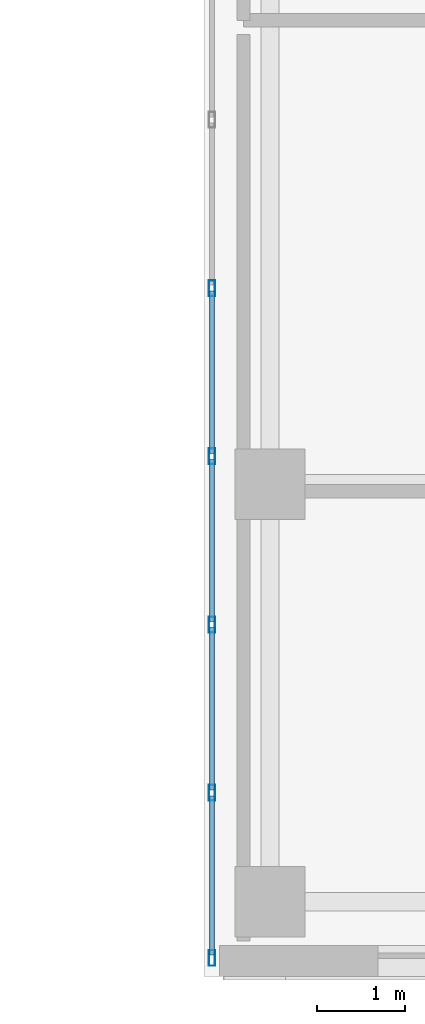
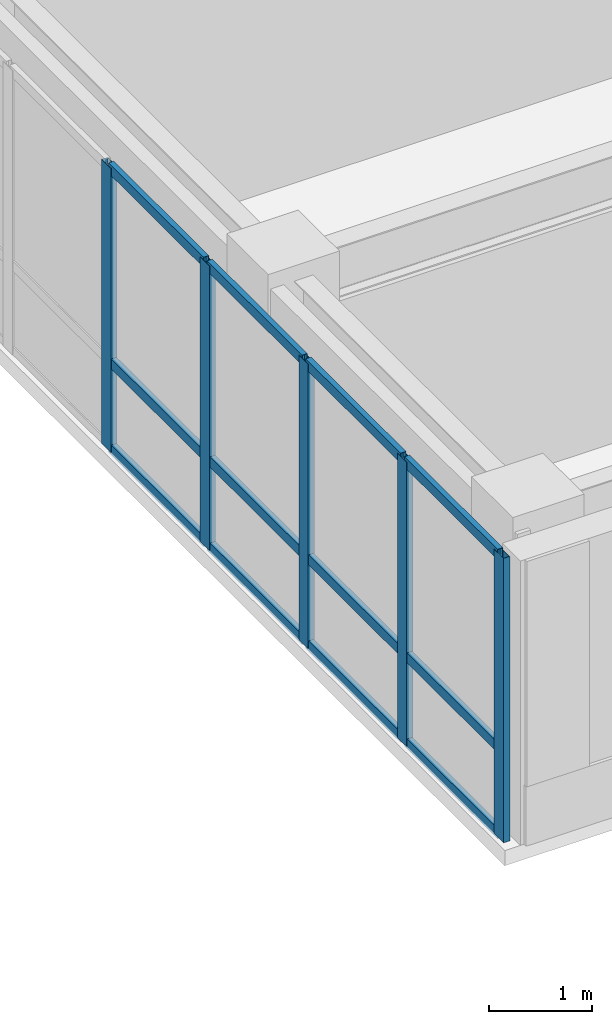
# One storey, part 4 of 20: 17 members, 1 element without a shape of its own.
"""IFC4 building model written with IfcOpenShell, lengths in metres."""

from ifc_helpers import new_model, si_unit, direction, frame, origin, origin_2d, place, context, subcontext, project, spatial, hollow_rectangle, extrude, source, transform, mapped, material, layer, layer_set, material_profile, profile_set, type_object, type_shapes, element, aggregate, save


model = new_model("IFC4")

# Units and contexts
model_context = context("Model", 3, precision=1e-05, world=origin(), true_north=direction((0.0, 1.0)))
body_context = subcontext(model_context, "Body", "Model", "MODEL_VIEW")
ifc_project = project(units=[si_unit("LENGTHUNIT", "METRE"), si_unit("AREAUNIT", "SQUARE_METRE"), si_unit("VOLUMEUNIT", "CUBIC_METRE"), si_unit("PLANEANGLEUNIT", "RADIAN"), si_unit("MASSUNIT", "GRAM", prefix="KILO")], contexts=[model_context])

# Site, building, storey
site_placement = place(None, origin())
site = spatial("IfcSite", under=ifc_project, at=site_placement, CompositionType="ELEMENT")
building_placement = place(site_placement, origin())
building = spatial("IfcBuilding", under=site, at=building_placement, Name="Tolvann Quenvar Hotel", CompositionType="ELEMENT")
storey_placement = place(building_placement, frame((0.0, 0.0, 175.449951171875)))
storey = spatial("IfcBuildingStorey", under=building, at=storey_placement, Name="L46", CompositionType="ELEMENT", Elevation=175.449951171875)

# Curtain wall, members
ifc_material_1 = material(Name="Thermally broken anodised architectural aluminium 6063-T6 and laminated low-E glass", Category="aluminium")
ifc_layer = layer(ifc_material_1, 0.179931640625)
ifc_layer_set = layer_set([ifc_layer], Name="Thermally broken anodised architectural aluminium 6063-T6 and laminated low-E glass")
curtain_wall_type = type_object("IfcCurtainWallType", Name="CW_SYS_SLOT_03", PredefinedType="USERDEFINED", material=ifc_layer_set)
curtain_wall_placement = place(storey_placement, origin())
curtain_wall = element("IfcCurtainWall", 1, at=curtain_wall_placement, inside=storey, type_object=curtain_wall_type, Name="Curtain Wall CW-SLOT-03 (CWR-L46-E07)", ObjectType="UNITISED CURTAIN WALL", PredefinedType="USERDEFINED")
ifc_material_2 = material(Name="Anodised architectural aluminium 6063-T6 framing", Category="aluminium")
ifc_material_profile_1 = material_profile(ifc_material_2, hollow_rectangle(XDim=0.070068359375, YDim=0.179931640625, WallThickness=0.00390625, at=origin_2d()), Name="180x70x4RHS")
ifc_profile_set_1 = profile_set([ifc_material_profile_1], Name="Anodised architectural aluminium 6063-T6 framing")
member_type_1 = type_object("IfcMemberType", Name="CW_MULL_180x70", PredefinedType="MULLION", material=ifc_profile_set_1)
shared_shape_1 = source(origin(), body_context, "Body", "SweptSolid", [
    extrude(hollow_rectangle(XDim=0.070068359375, YDim=0.179931640625, WallThickness=0.00390625, at=origin_2d()), origin(), (0.0, 0.0, 1.0), 3.3701171875),
])
type_shapes(member_type_1, [shared_shape_1])
member_1_placement = place(storey_placement, frame((34.2900390625, 10.43212890625, 0.0), z_axis=(0.0, 0.0, 1.0), x_axis=(1.0, 0.0, 0.0)))
member_1 = element("IfcMember", 2, at=member_1_placement, type_object=member_type_1, Name="CW-SLOT-03 mullion 4", PredefinedType="MULLION", context=body_context, shape_type="MappedRepresentation", body=[
    mapped(shared_shape_1, transform((0.0, 0.0, 0.0), x_axis=(1.0, 0.0, 0.0), y_axis=(0.0, 1.0, 0.0), z_axis=(0.0, 0.0, 1.0), scale=1.0)),
])
member_2_placement = place(storey_placement, frame((34.2900390625, 8.517822265625, 0.0), z_axis=(0.0, 0.0, 1.0), x_axis=(1.0, 0.0, 0.0)))
member_2 = element("IfcMember", 3, at=member_2_placement, type_object=member_type_1, Name="CW-SLOT-03 mullion 5", PredefinedType="MULLION", context=body_context, shape_type="MappedRepresentation", body=[
    mapped(shared_shape_1, transform((0.0, 0.0, 0.0), x_axis=(1.0, 0.0, 0.0), y_axis=(0.0, 1.0, 0.0), z_axis=(0.0, 0.0, 1.0), scale=1.0)),
])
member_3_placement = place(storey_placement, frame((34.2900390625, 6.603515625, 0.0), z_axis=(0.0, 0.0, 1.0), x_axis=(1.0, 0.0, 0.0)))
member_3 = element("IfcMember", 4, at=member_3_placement, type_object=member_type_1, Name="CW-SLOT-03 mullion 6", PredefinedType="MULLION", context=body_context, shape_type="MappedRepresentation", body=[
    mapped(shared_shape_1, transform((0.0, 0.0, 0.0), x_axis=(1.0, 0.0, 0.0), y_axis=(0.0, 1.0, 0.0), z_axis=(0.0, 0.0, 1.0), scale=1.0)),
])
member_4_placement = place(storey_placement, frame((34.2900390625, 4.689208984375, 0.0), z_axis=(0.0, 0.0, 1.0), x_axis=(1.0, 0.0, 0.0)))
member_4 = element("IfcMember", 5, at=member_4_placement, type_object=member_type_1, Name="CW-SLOT-03 mullion 7", PredefinedType="MULLION", context=body_context, shape_type="MappedRepresentation", body=[
    mapped(shared_shape_1, transform((0.0, 0.0, 0.0), x_axis=(1.0, 0.0, 0.0), y_axis=(0.0, 1.0, 0.0), z_axis=(0.0, 0.0, 1.0), scale=1.0)),
])
member_5_placement = place(storey_placement, frame((34.2900390625, 2.81005859375, 0.0), z_axis=(0.0, 0.0, 1.0), x_axis=(1.0, 0.0, 0.0)))
member_5 = element("IfcMember", 6, at=member_5_placement, type_object=member_type_1, Name="CW-SLOT-03 mullion 8", PredefinedType="MULLION", context=body_context, shape_type="MappedRepresentation", body=[
    mapped(shared_shape_1, transform((0.0, 0.0, 0.0), x_axis=(1.0, 0.0, 0.0), y_axis=(0.0, 1.0, 0.0), z_axis=(0.0, 0.0, 1.0), scale=1.0)),
])
ifc_material_profile_2 = material_profile(ifc_material_2, hollow_rectangle(XDim=0.06005859375, YDim=0.1201171875, WallThickness=0.00341796875, at=origin_2d()), Name="120x60x3.5RHS")
ifc_profile_set_2 = profile_set([ifc_material_profile_2], Name="Anodised architectural aluminium 6063-T6 framing")
member_type_2 = type_object("IfcMemberType", Name="CW_TRAN_120x60", PredefinedType="USERDEFINED", material=ifc_profile_set_2)
shared_shape_2 = source(origin(), body_context, "Body", "SweptSolid", [
    extrude(hollow_rectangle(XDim=0.06005859375, YDim=0.1201171875, WallThickness=0.00341796875, at=origin_2d()), origin(), (0.0, 0.0, 1.0), 1.809326171875),
])
member_6_placement = place(storey_placement, frame((34.2900390625, 4.654296875, 0.030029296875), z_axis=(0.0, -1.0, 0.0), x_axis=(1.0, 0.0, 0.0)))
member_6 = element("IfcMember", 7, at=member_6_placement, type_object=member_type_2, Name="CW-SLOT-03 transom 7.1", ObjectType="TRANSOM", PredefinedType="USERDEFINED", context=body_context, shape_type="MappedRepresentation", body=[
    mapped(shared_shape_2, transform((0.0, 0.0, 0.0), x_axis=(1.0, 0.0, 0.0), y_axis=(0.0, 1.0, 0.0), z_axis=(0.0, 0.0, 1.0), scale=1.0)),
])
member_7_placement = place(storey_placement, frame((34.2900390625, 4.654296875, 1.050048828125), z_axis=(0.0, -1.0, 0.0), x_axis=(1.0, 0.0, 0.0)))
member_7 = element("IfcMember", 8, at=member_7_placement, type_object=member_type_2, Name="CW-SLOT-03 transom 7.2", ObjectType="TRANSOM", PredefinedType="USERDEFINED", context=body_context, shape_type="MappedRepresentation", body=[
    mapped(shared_shape_2, transform((0.0, 0.0, 0.0), x_axis=(1.0, 0.0, 0.0), y_axis=(0.0, 1.0, 0.0), z_axis=(0.0, 0.0, 1.0), scale=1.0)),
])
member_8_placement = place(storey_placement, frame((34.2900390625, 4.654296875, 3.340087890625), z_axis=(0.0, -1.0, 0.0), x_axis=(1.0, 0.0, 0.0)))
member_8 = element("IfcMember", 9, at=member_8_placement, type_object=member_type_2, Name="CW-SLOT-03 transom 7.3", ObjectType="TRANSOM", PredefinedType="USERDEFINED", context=body_context, shape_type="MappedRepresentation", body=[
    mapped(shared_shape_2, transform((0.0, 0.0, 0.0), x_axis=(1.0, 0.0, 0.0), y_axis=(0.0, 1.0, 0.0), z_axis=(0.0, 0.0, 1.0), scale=1.0)),
])
shared_shape_3 = source(origin(), body_context, "Body", "SweptSolid", [
    extrude(hollow_rectangle(XDim=0.06005859375, YDim=0.1201171875, WallThickness=0.00341796875, at=origin_2d()), origin(), (0.0, 0.0, 1.0), 1.84423828125),
])
type_shapes(member_type_2, [shared_shape_2, shared_shape_3])
member_9_placement = place(storey_placement, frame((34.2900390625, 10.397216796875, 0.030029296875), z_axis=(0.0, -1.0, 0.0), x_axis=(1.0, 0.0, 0.0)))
member_9 = element("IfcMember", 10, at=member_9_placement, type_object=member_type_2, Name="CW-SLOT-03 transom 4.1", ObjectType="TRANSOM", PredefinedType="USERDEFINED", context=body_context, shape_type="MappedRepresentation", body=[
    mapped(shared_shape_3, transform((0.0, 0.0, 0.0), x_axis=(1.0, 0.0, 0.0), y_axis=(0.0, 1.0, 0.0), z_axis=(0.0, 0.0, 1.0), scale=1.0)),
])
member_10_placement = place(storey_placement, frame((34.2900390625, 10.397216796875, 1.050048828125), z_axis=(0.0, -1.0, 0.0), x_axis=(1.0, 0.0, 0.0)))
member_10 = element("IfcMember", 11, at=member_10_placement, type_object=member_type_2, Name="CW-SLOT-03 transom 4.2", ObjectType="TRANSOM", PredefinedType="USERDEFINED", context=body_context, shape_type="MappedRepresentation", body=[
    mapped(shared_shape_3, transform((0.0, 0.0, 0.0), x_axis=(1.0, 0.0, 0.0), y_axis=(0.0, 1.0, 0.0), z_axis=(0.0, 0.0, 1.0), scale=1.0)),
])
member_11_placement = place(storey_placement, frame((34.2900390625, 10.397216796875, 3.340087890625), z_axis=(0.0, -1.0, 0.0), x_axis=(1.0, 0.0, 0.0)))
member_11 = element("IfcMember", 12, at=member_11_placement, type_object=member_type_2, Name="CW-SLOT-03 transom 4.3", ObjectType="TRANSOM", PredefinedType="USERDEFINED", context=body_context, shape_type="MappedRepresentation", body=[
    mapped(shared_shape_3, transform((0.0, 0.0, 0.0), x_axis=(1.0, 0.0, 0.0), y_axis=(0.0, 1.0, 0.0), z_axis=(0.0, 0.0, 1.0), scale=1.0)),
])
member_12_placement = place(storey_placement, frame((34.2900390625, 8.48291015625, 0.030029296875), z_axis=(0.0, -1.0, 0.0), x_axis=(1.0, 0.0, 0.0)))
member_12 = element("IfcMember", 13, at=member_12_placement, type_object=member_type_2, Name="CW-SLOT-03 transom 5.1", ObjectType="TRANSOM", PredefinedType="USERDEFINED", context=body_context, shape_type="MappedRepresentation", body=[
    mapped(shared_shape_3, transform((0.0, 0.0, 0.0), x_axis=(1.0, 0.0, 0.0), y_axis=(0.0, 1.0, 0.0), z_axis=(0.0, 0.0, 1.0), scale=1.0)),
])
member_13_placement = place(storey_placement, frame((34.2900390625, 8.48291015625, 1.050048828125), z_axis=(0.0, -1.0, 0.0), x_axis=(1.0, 0.0, 0.0)))
member_13 = element("IfcMember", 14, at=member_13_placement, type_object=member_type_2, Name="CW-SLOT-03 transom 5.2", ObjectType="TRANSOM", PredefinedType="USERDEFINED", context=body_context, shape_type="MappedRepresentation", body=[
    mapped(shared_shape_3, transform((0.0, 0.0, 0.0), x_axis=(1.0, 0.0, 0.0), y_axis=(0.0, 1.0, 0.0), z_axis=(0.0, 0.0, 1.0), scale=1.0)),
])
member_14_placement = place(storey_placement, frame((34.2900390625, 8.48291015625, 3.340087890625), z_axis=(0.0, -1.0, 0.0), x_axis=(1.0, 0.0, 0.0)))
member_14 = element("IfcMember", 15, at=member_14_placement, type_object=member_type_2, Name="CW-SLOT-03 transom 5.3", ObjectType="TRANSOM", PredefinedType="USERDEFINED", context=body_context, shape_type="MappedRepresentation", body=[
    mapped(shared_shape_3, transform((0.0, 0.0, 0.0), x_axis=(1.0, 0.0, 0.0), y_axis=(0.0, 1.0, 0.0), z_axis=(0.0, 0.0, 1.0), scale=1.0)),
])
member_15_placement = place(storey_placement, frame((34.2900390625, 6.568603515625, 0.030029296875), z_axis=(0.0, -1.0, 0.0), x_axis=(1.0, 0.0, 0.0)))
member_15 = element("IfcMember", 16, at=member_15_placement, type_object=member_type_2, Name="CW-SLOT-03 transom 6.1", ObjectType="TRANSOM", PredefinedType="USERDEFINED", context=body_context, shape_type="MappedRepresentation", body=[
    mapped(shared_shape_3, transform((0.0, 0.0, 0.0), x_axis=(1.0, 0.0, 0.0), y_axis=(0.0, 1.0, 0.0), z_axis=(0.0, 0.0, 1.0), scale=1.0)),
])
member_16_placement = place(storey_placement, frame((34.2900390625, 6.568603515625, 1.050048828125), z_axis=(0.0, -1.0, 0.0), x_axis=(1.0, 0.0, 0.0)))
member_16 = element("IfcMember", 17, at=member_16_placement, type_object=member_type_2, Name="CW-SLOT-03 transom 6.2", ObjectType="TRANSOM", PredefinedType="USERDEFINED", context=body_context, shape_type="MappedRepresentation", body=[
    mapped(shared_shape_3, transform((0.0, 0.0, 0.0), x_axis=(1.0, 0.0, 0.0), y_axis=(0.0, 1.0, 0.0), z_axis=(0.0, 0.0, 1.0), scale=1.0)),
])
member_17_placement = place(storey_placement, frame((34.2900390625, 6.568603515625, 3.340087890625), z_axis=(0.0, -1.0, 0.0), x_axis=(1.0, 0.0, 0.0)))
member_17 = element("IfcMember", 18, at=member_17_placement, type_object=member_type_2, Name="CW-SLOT-03 transom 6.3", ObjectType="TRANSOM", PredefinedType="USERDEFINED", context=body_context, shape_type="MappedRepresentation", body=[
    mapped(shared_shape_3, transform((0.0, 0.0, 0.0), x_axis=(1.0, 0.0, 0.0), y_axis=(0.0, 1.0, 0.0), z_axis=(0.0, 0.0, 1.0), scale=1.0)),
])
aggregate(curtain_wall, [member_1, member_2, member_3, member_4, member_5, member_9, member_10, member_11, member_12, member_13, member_14, member_15, member_16, member_17, member_6, member_7, member_8])

save(model, "model.ifc")
